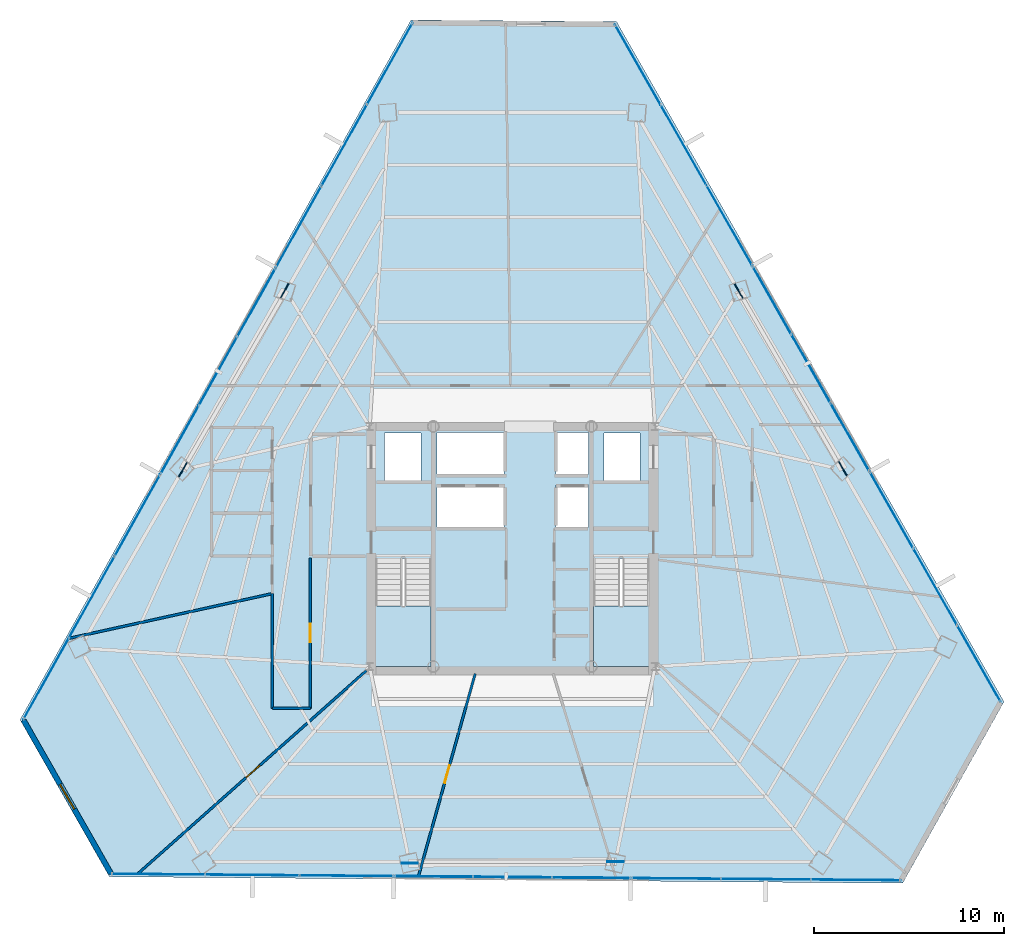
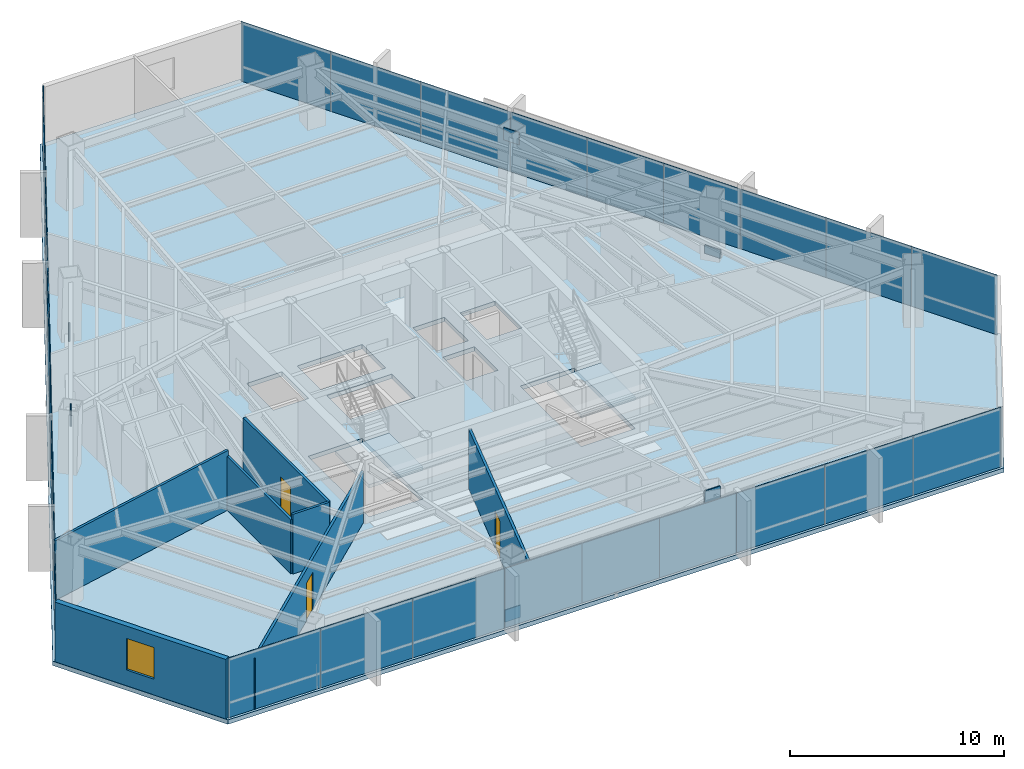
# One storey, part 33 of 39: 33 plates, 7 walls, 3 doors, 3 slabs, 1 window, 4 openings, 11 elements without a shape of their own.
"""IFC4 building model written with IfcOpenShell, lengths in metres."""

import ifcopenshell
import ifcopenshell.guid

model = None  # the IFC model being written
_history = None  # IfcOwnerHistory: only IFC2X3 demands one
_inside = {}  # id of a spatial element -> (the spatial element, [elements in it])
_under = {}  # id of a project, library or spatial element -> (it, [spatial elements below it])
_declared = {}  # id of a project -> (the project, [libraries it declares])
_typed = {}  # id of a type object -> (the type object, [elements of that type])
_made_of = {}  # id of a material, layer set ... -> (it, [elements and type objects made of it])


def new_model(schema):
    """Start an empty IFC model of exactly this schema.

    Asked for "IFC4X3", IfcOpenShell would pick the latest addendum, in which some entities
    have other attributes; the version numbers below select the first issue.
    IFC2X3 requires an IfcOwnerHistory on every rooted entity: one is made here for all.
    """
    global model, _history
    if schema == "IFC4X3":
        model = ifcopenshell.file(schema_version=(4, 3, 0, 0))
    else:
        model = ifcopenshell.file(schema=schema)
    _inside.clear()
    _under.clear()
    _declared.clear()
    _typed.clear()
    _made_of.clear()
    _history = None
    if model.schema == "IFC2X3":
        org = make("IfcOrganization", Name="unknown")
        user = make(
            "IfcPersonAndOrganization",
            ThePerson=make("IfcPerson", FamilyName="unknown"),
            TheOrganization=org,
        )
        app = make(
            "IfcApplication",
            ApplicationDeveloper=org,
            Version="unknown",
            ApplicationFullName="unknown",
            ApplicationIdentifier="unknown",
        )
        _history = make(
            "IfcOwnerHistory",
            OwningUser=user,
            OwningApplication=app,
            ChangeAction="ADDED",
            CreationDate=0,
        )
    return model


def make(cls, **values):
    """One entity of the class cls with the attributes given. An attribute that is None is left unset."""
    return model.create_entity(
        cls, **{name: value for name, value in values.items() if value is not None}
    )


def rooted(cls, **values):
    """An entity with a GlobalId (a new one), such as an element, a storey or a relation."""
    return make(cls, GlobalId=ifcopenshell.guid.new(), OwnerHistory=_history, **values)


def si_unit(unit_type, name, prefix=None):
    """IfcSIUnit, for example si_unit("LENGTHUNIT", "METRE", prefix="MILLI")."""
    return make("IfcSIUnit", UnitType=unit_type, Prefix=prefix, Name=name)


def assignment(units):
    """IfcUnitAssignment: the units of a project."""
    return None if units is None else make("IfcUnitAssignment", Units=units)


def point(xyz):
    """IfcCartesianPoint."""
    return None if xyz is None else make("IfcCartesianPoint", Coordinates=xyz)


def direction(xyz):
    """IfcDirection."""
    return None if xyz is None else make("IfcDirection", DirectionRatios=xyz)


def frame(location, z_axis=None, x_axis=None):
    """IfcAxis2Placement3D, a coordinate frame: its origin and axes. An axis left out is left unset."""
    return make(
        "IfcAxis2Placement3D",
        Location=point(location),
        Axis=direction(z_axis),
        RefDirection=direction(x_axis),
    )


def frame_2d(location, x_axis=None):
    """IfcAxis2Placement2D, a coordinate frame in the plane: its origin and x axis."""
    return make(
        "IfcAxis2Placement2D", Location=point(location), RefDirection=direction(x_axis)
    )


def origin():
    """The frame at (0, 0, 0) with its axes left unset."""
    return frame((0.0, 0.0, 0.0))


def origin_2d():
    """The frame at (0, 0) in the plane with its x axis left unset."""
    return frame_2d((0.0, 0.0))


def place(relative_to, where):
    """IfcLocalPlacement: puts the frame where relative to a parent placement (None: the world)."""
    return make(
        "IfcLocalPlacement", PlacementRelTo=relative_to, RelativePlacement=where
    )


def context(
    kind, dimensions, precision=None, world=None, true_north=None, identifier=None
):
    """IfcGeometricRepresentationContext, for example the 3D "Model" context."""
    return make(
        "IfcGeometricRepresentationContext",
        ContextIdentifier=identifier,
        ContextType=kind,
        CoordinateSpaceDimension=dimensions,
        Precision=precision,
        WorldCoordinateSystem=world,
        TrueNorth=true_north,
    )


def subcontext(parent, identifier, kind, view, scale=None):
    """IfcGeometricRepresentationSubContext, for example "Body" below "Model"."""
    return make(
        "IfcGeometricRepresentationSubContext",
        ContextIdentifier=identifier,
        ContextType=kind,
        ParentContext=parent,
        TargetScale=scale,
        TargetView=view,
    )


def project(units=None, contexts=None):
    """IfcProject with its units and contexts."""
    return rooted(
        "IfcProject",
        Name="project",
        RepresentationContexts=contexts,
        UnitsInContext=assignment(units),
    )


def spatial(cls, under=None, at=None, **own):
    """A site, building, storey or space (cls), placed at a placement, below another one or the project."""
    s = rooted(cls, ObjectPlacement=at, **own)
    if under is not None:
        _under.setdefault(under.id(), (under, []))[1].append(s)
    return s


def polyline(points):
    """IfcPolyline through the points."""
    return make("IfcPolyline", Points=[point(p) for p in points])


def profile(cls, at=None, kind="AREA", **sizes):
    """A parametric profile (cls). Its sizes go by their IFC names, for example OverallWidth=200.0."""
    return make(cls, ProfileType=kind, Position=at, **sizes)


def rectangle(**sizes):
    """IfcRectangleProfileDef."""
    return profile("IfcRectangleProfileDef", **sizes)


def outline(outer, holes=None, kind="AREA"):
    """IfcArbitraryClosedProfileDef: a profile drawn as a closed curve; with holes, ...WithVoids."""
    if holes is None:
        return make("IfcArbitraryClosedProfileDef", ProfileType=kind, OuterCurve=outer)
    return make(
        "IfcArbitraryProfileDefWithVoids",
        ProfileType=kind,
        OuterCurve=outer,
        InnerCurves=holes,
    )


def extrude(swept, where, along, depth):
    """IfcExtrudedAreaSolid: the profile swept, set in the frame where, extruded along a direction by depth."""
    return make(
        "IfcExtrudedAreaSolid",
        SweptArea=swept,
        Position=where,
        ExtrudedDirection=direction(along),
        Depth=depth,
    )


def shape(context_of_items, identifier, shape_type, items):
    """IfcShapeRepresentation: the items that make up one representation, for example the "Body"."""
    return make(
        "IfcShapeRepresentation",
        ContextOfItems=context_of_items,
        RepresentationIdentifier=identifier,
        RepresentationType=shape_type,
        Items=items,
    )


def source(mapping_origin, context_of_items, identifier, shape_type, items):
    """IfcRepresentationMap: a shape defined once, which mapped items show again and again."""
    return make(
        "IfcRepresentationMap",
        MappingOrigin=mapping_origin,
        MappedRepresentation=shape(context_of_items, identifier, shape_type, items),
    )


def transform(
    local_origin,
    x_axis=None,
    y_axis=None,
    z_axis=None,
    scale=None,
    scale2=None,
    scale3=None,
    uniform=True,
):
    """IfcCartesianTransformationOperator3D, or its non-uniform kind. x_axis, y_axis, z_axis: its Axis1, 2, 3."""
    if uniform:
        return make(
            "IfcCartesianTransformationOperator3D",
            Axis1=direction(x_axis),
            Axis2=direction(y_axis),
            LocalOrigin=point(local_origin),
            Scale=scale,
            Axis3=direction(z_axis),
        )
    return make(
        "IfcCartesianTransformationOperator3DnonUniform",
        Axis1=direction(x_axis),
        Axis2=direction(y_axis),
        LocalOrigin=point(local_origin),
        Scale=scale,
        Axis3=direction(z_axis),
        Scale2=scale2,
        Scale3=scale3,
    )


def mapped(mapping_source, mapping_target):
    """IfcMappedItem: shows the shape of a source again, moved by a transform."""
    return make(
        "IfcMappedItem", MappingSource=mapping_source, MappingTarget=mapping_target
    )


def material(Name=None, Category=None):
    """IfcMaterial."""
    return make("IfcMaterial", Name=Name, Category=Category)


def layer(
    of_material, thickness, ventilated=None, Name=None, Category=None, Priority=None
):
    """IfcMaterialLayer: one layer of a wall or slab, of a material (None: an air gap)."""
    return make(
        "IfcMaterialLayer",
        Material=of_material,
        LayerThickness=thickness,
        IsVentilated=ventilated,
        Name=Name,
        Category=Category,
        Priority=Priority,
    )


def layer_set(layers, Name=None):
    """IfcMaterialLayerSet."""
    return make("IfcMaterialLayerSet", MaterialLayers=layers, LayerSetName=Name)


def made_of(thing, what):
    """Note that an element or type object is made of a material, layer set ...; save() writes the relation."""
    if what is not None:
        _made_of.setdefault(what.id(), (what, []))[1].append(thing)
    return thing


def type_object(cls, material=None, **own):
    """A type object (cls), such as IfcWallType, which elements share."""
    return made_of(rooted(cls, **own), material)


def type_shapes(of_type, sources):
    """Give a type object the sources (RepresentationMaps) that its elements show as mapped items."""
    of_type.RepresentationMaps = sources


def element(
    cls,
    number,
    at=None,
    inside=None,
    cuts=None,
    type_object=None,
    material=None,
    context=None,
    identifier="Body",
    shape_type=None,
    held_by="IfcProductDefinitionShape",
    body=None,
    shapes=None,
    **own,
):
    """One element of the class cls, such as IfcWall. Its Tag is "e" and its number.

    at: its placement. inside: the storey or other place that contains it. cuts: it is an
    opening in that element (IfcRelVoidsElement). A single representation is given by context,
    identifier, shape_type and body (its items); several are given by shapes. held_by: the class
    of the entity that holds the representations. save() writes the other relations.
    """
    e = rooted(cls, Tag="e%d" % number, ObjectPlacement=at, **own)
    if body is not None:
        shapes = [shape(context, identifier, shape_type, body)]
    if shapes is not None:
        e.Representation = make(held_by, Representations=shapes)
    if inside is not None:
        _inside.setdefault(inside.id(), (inside, []))[1].append(e)
    if cuts is not None:
        rooted(
            "IfcRelVoidsElement", RelatingBuildingElement=cuts, RelatedOpeningElement=e
        )
    if type_object is not None:
        _typed.setdefault(type_object.id(), (type_object, []))[1].append(e)
    return made_of(e, material)


def fill(opening, filler):
    """IfcRelFillsElement: the door or window that sits in an opening."""
    return rooted(
        "IfcRelFillsElement",
        RelatingOpeningElement=opening,
        RelatedBuildingElement=filler,
    )


def aggregate(whole, parts):
    """IfcRelAggregates: a whole, such as a stair, and the parts it consists of."""
    return rooted("IfcRelAggregates", RelatingObject=whole, RelatedObjects=parts)


def save(model, path):
    """Write the relations noted so far, then the file.

    IfcRelAggregates (storeys below a building ...), IfcRelContainedInSpatialStructure (elements
    in a storey), IfcRelDefinesByType, IfcRelAssociatesMaterial and IfcRelDeclares: one each for
    every whole, place, type object, material and project.
    """
    for whole, parts in _under.values():
        aggregate(whole, parts)
    for where, things in _inside.values():
        rooted(
            "IfcRelContainedInSpatialStructure",
            RelatedElements=things,
            RelatingStructure=where,
        )
    for kind, things in _typed.values():
        rooted("IfcRelDefinesByType", RelatedObjects=things, RelatingType=kind)
    for what, things in _made_of.values():
        rooted("IfcRelAssociatesMaterial", RelatedObjects=things, RelatingMaterial=what)
    for by, libraries in _declared.values():
        rooted("IfcRelDeclares", RelatingContext=by, RelatedDefinitions=libraries)
    model.write(path)


model = new_model("IFC4")

# Units and contexts
model_context = context("Model", 3, precision=1e-05, world=origin(), true_north=direction((0.0, 1.0)))
body_context = subcontext(model_context, "Body", "Model", "MODEL_VIEW")
ifc_project = project(units=[si_unit("LENGTHUNIT", "METRE"), si_unit("AREAUNIT", "SQUARE_METRE"), si_unit("VOLUMEUNIT", "CUBIC_METRE"), si_unit("PLANEANGLEUNIT", "RADIAN"), si_unit("MASSUNIT", "GRAM", prefix="KILO")], contexts=[model_context])

# Site, building, storey
site_placement = place(None, origin())
site = spatial("IfcSite", under=ifc_project, at=site_placement, CompositionType="ELEMENT")
building_placement = place(site_placement, origin())
building = spatial("IfcBuilding", under=site, at=building_placement, Name="Caelisora Broadcast Tower", CompositionType="ELEMENT")
storey_placement = place(building_placement, frame((0.0, 0.0, 142.75)))
storey = spatial("IfcBuildingStorey", under=building, at=storey_placement, Name="L37", CompositionType="ELEMENT", Elevation=142.75)

# Slab
ifc_material_1 = material(Name="Concrete 40 MPa (AS 3600 N40)", Category="concrete")
ifc_layer_1 = layer(ifc_material_1, 0.25, Name="Concrete 40 MPa (AS 3600 N40)")
ifc_layer_set_1 = layer_set([ifc_layer_1], Name="Concrete 40 MPa (AS 3600 N40)")
slab_type_1 = type_object("IfcSlabType", Name="SL04", PredefinedType="FLOOR", material=ifc_layer_set_1)
slab_1_placement = place(storey_placement, frame((0.0, 0.0, -0.25)))
element("IfcSlab", 1, at=slab_1_placement, inside=storey, type_object=slab_type_1, Name="L37 suspended floor SL04", PredefinedType="FLOOR", context=body_context, shape_type="SweptSolid", body=[
    extrude(outline(polyline([(43.47509765625, 51.256103515625), (32.677978515625, 51.343994140625), (12.152099609375, 14.60693359375), (16.844970703125, 6.366943359375), (58.489990234375, 6.02490234375), (63.81103515625, 15.550048828125), (43.47509765625, 51.256103515625)]), holes=[polyline([(30.820068359375, 17.39990234375), (33.739990234375, 17.39990234375), (33.739990234375, 23.080078125), (30.820068359375, 23.080078125), (30.820068359375, 17.39990234375)]), polyline([(42.260009765625, 17.39990234375), (45.179931640625, 17.39990234375), (45.179931640625, 23.080078125), (42.260009765625, 23.080078125), (42.260009765625, 17.39990234375)]), polyline([(42.800048828125, 27.14990234375), (44.699951171875, 27.14990234375), (44.699951171875, 29.64990234375), (42.800048828125, 29.64990234375), (42.800048828125, 27.14990234375)]), polyline([(40.300048828125, 24.719970703125), (42.0, 24.719970703125), (42.0, 26.919921875), (40.300048828125, 26.919921875), (40.300048828125, 24.719970703125)]), polyline([(40.300048828125, 27.5), (42.0, 27.5), (42.0, 29.699951171875), (40.300048828125, 29.699951171875), (40.300048828125, 27.5)]), polyline([(34.050048828125, 24.719970703125), (37.550048828125, 24.719970703125), (37.550048828125, 26.919921875), (34.050048828125, 26.919921875), (34.050048828125, 24.719970703125)]), polyline([(34.050048828125, 27.5), (37.550048828125, 27.5), (37.550048828125, 29.699951171875), (34.050048828125, 29.699951171875), (34.050048828125, 27.5)]), polyline([(31.300048828125, 27.14990234375), (33.199951171875, 27.14990234375), (33.199951171875, 29.64990234375), (31.300048828125, 29.64990234375), (31.300048828125, 27.14990234375)])]), origin(), (0.0, 0.0, 1.0), 0.25),
])

# Stair, slab
stair_type_1 = type_object("IfcStairType", Name="ST-1", PredefinedType="HALF_TURN_STAIR", material=ifc_material_1)
stair_1_placement = place(storey_placement, origin())
stair_1 = element("IfcStair", 2, at=stair_1_placement, inside=storey, type_object=stair_type_1, Name="L37 West Fire-Isolated Tower Stair", PredefinedType="HALF_TURN_STAIR")
ifc_layer_2 = layer(ifc_material_1, 0.199951171875, Name="Concrete 40 MPa (AS 3600 N40)")
ifc_layer_set_2 = layer_set([ifc_layer_2], Name="Concrete 40 MPa (AS 3600 N40)")
slab_type_2 = type_object("IfcSlabType", Name="STL-1", PredefinedType="LANDING", material=ifc_layer_set_2)
slab_2_placement = place(storey_placement, frame((0.0, 0.0, 1.625)))
slab_2 = element("IfcSlab", 3, at=slab_2_placement, type_object=slab_type_2, Name="ST-1 landing 1", PredefinedType="LANDING", context=body_context, shape_type="SweptSolid", body=[
    extrude(outline(polyline([(30.820068359375, 20.580078125), (30.820068359375, 17.39990234375), (33.739990234375, 17.39990234375), (33.739990234375, 20.580078125), (30.820068359375, 20.580078125)])), origin(), (0.0, 0.0, 1.0), 0.199951171875),
])
aggregate(stair_1, [slab_2])

stair_type_2 = type_object("IfcStairType", Name="ST-2", PredefinedType="HALF_TURN_STAIR", material=ifc_material_1)
stair_2_placement = place(storey_placement, origin())
stair_2 = element("IfcStair", 4, at=stair_2_placement, inside=storey, type_object=stair_type_2, Name="L37 East Fire-Isolated Tower Stair", PredefinedType="HALF_TURN_STAIR")
slab_3_placement = place(storey_placement, frame((0.0, 0.0, 1.625)))
slab_3 = element("IfcSlab", 5, at=slab_3_placement, type_object=slab_type_2, Name="ST-2 landing 1", PredefinedType="LANDING", context=body_context, shape_type="SweptSolid", body=[
    extrude(outline(polyline([(42.260009765625, 20.580078125), (42.260009765625, 17.39990234375), (45.179931640625, 17.39990234375), (45.179931640625, 20.580078125), (42.260009765625, 20.580078125)])), origin(), (0.0, 0.0, 1.0), 0.199951171875),
])
aggregate(stair_2, [slab_3])

# Plates
ifc_material_2 = material(Name="Steel Grade 350 L15 (AS/NZS 3678)", Category="steel")
ifc_layer_3 = layer(ifc_material_2, 0.050048828125, Name="Steel Grade 350 L15 (AS/NZS 3678)")
ifc_layer_set_3 = layer_set([ifc_layer_3], Name="Steel Grade 350 L15 (AS/NZS 3678)")
plate_type_1 = type_object("IfcPlateType", Name="GP03", PredefinedType="USERDEFINED", material=ifc_layer_set_3)
shared_shape_1 = source(origin(), body_context, "Body", "SweptSolid", [
    extrude(rectangle(XDim=0.85009765625, YDim=0.050048828125, at=origin_2d()), origin(), (0.0, 0.0, 1.0), 0.699951171875),
])
type_shapes(plate_type_1, [shared_shape_1])
for number, where, z_axis, x_axis, name in (
    (6, (26.044921875, 37.13134765625, -0.22998046875), (0.0, 0.0, 1.0), (-0.5, -0.866025403784, 0.0), "L37 gusset plate GP03 (ND-L37-C02B)"),
    (7, (20.704833984375, 27.737548828125, 2.72998046875), (0.0, 0.0, 1.0), (-0.5, -0.866025403784, 0.0), "L37 gusset plate GP03 (ND-L37-C03T)"),
    (8, (32.605712890625, 7.080810546875, -0.22998046875), (0.0, 0.0, 1.0), (1.0, 0.0, 0.0), "L37 gusset plate GP03 (ND-L37-C06B)"),
    (9, (43.410888671875, 7.153076171875, 2.72998046875), (0.0, 0.0, 1.0), (1.0, 0.0, 0.0), "L37 gusset plate GP03 (ND-L37-C07T)"),
    (10, (55.349609375, 27.787841796875, -0.22998046875), (0.0, 0.0, 1.0), (-0.5, 0.866025403784, 0.0), "L37 gusset plate GP03 (ND-L37-C10B)"),
    (11, (49.884521484375, 37.109375, 2.72998046875), (0.0, 0.0, 1.0), (-0.5, 0.866025403784, 0.0), "L37 gusset plate GP03 (ND-L37-C11T)"),
):
    element("IfcPlate", number, at=place(storey_placement, frame(where, z_axis=z_axis, x_axis=x_axis)), inside=storey, type_object=plate_type_1, Name=name, ObjectType="GUSSET PLATE", PredefinedType="USERDEFINED", context=body_context, shape_type="MappedRepresentation", body=[
        mapped(shared_shape_1, transform((0.0, 0.0, 0.0), scale=1.0)),
    ])

# Curtain wall, plates
ifc_material_3 = material(Name="Unitised Aluminium and Low-E Glass Curtain Wall", Category="glass")
curtain_wall_type_1 = type_object("IfcCurtainWallType", Name="CW-Z3", PredefinedType="NOTDEFINED", material=ifc_material_3)
curtain_wall_1_placement = place(storey_placement, origin())
curtain_wall_1 = element("IfcCurtainWall", 12, at=curtain_wall_1_placement, inside=storey, type_object=curtain_wall_type_1, Name="L37 curtain wall CW-Z3", PredefinedType="NOTDEFINED")
ifc_material_4 = material(Name="Double Glazed Low-E Argon IGU", Category="glass")
ifc_layer_4 = layer(ifc_material_4, 0.031982421875, Name="Double Glazed Low-E Argon IGU")
ifc_layer_set_4 = layer_set([ifc_layer_4], Name="Double Glazed Low-E Argon IGU")
plate_type_2 = type_object("IfcPlateType", Name="CWP-04", PredefinedType="CURTAIN_PANEL", material=ifc_layer_set_4)
shared_shape_2 = source(origin(), body_context, "Body", "SweptSolid", [
    extrude(rectangle(XDim=4.85498046875, YDim=0.031982421875, at=origin_2d()), origin(), (0.0, 0.0, 1.0), 3.39990234375),
])
plate_1_placement = place(storey_placement, frame((44.58837890625, 48.997802734375, 0.0), z_axis=(0.0, 0.0, 1.0), x_axis=(0.494852128545, -0.868977198133, 0.0)))
plate_1 = element("IfcPlate", 13, at=plate_1_placement, type_object=plate_type_2, Name="L37-CW-B01 glazed panel #1", PredefinedType="CURTAIN_PANEL", context=body_context, shape_type="MappedRepresentation", body=[
    mapped(shared_shape_2, transform((0.0, 0.0, 0.0), scale=1.0)),
])
plate_2_placement = place(storey_placement, frame((46.9912109375, 44.779052734375, 0.0), z_axis=(0.0, 0.0, 1.0), x_axis=(0.494852128545, -0.868977198133, 0.0)))
plate_2 = element("IfcPlate", 14, at=plate_2_placement, type_object=plate_type_2, Name="L37-CW-B01 glazed panel #2", PredefinedType="CURTAIN_PANEL", context=body_context, shape_type="MappedRepresentation", body=[
    mapped(shared_shape_2, transform((0.0, 0.0, 0.0), scale=1.0)),
])
plate_3_placement = place(storey_placement, frame((49.393798828125, 40.560302734375, 0.0), z_axis=(0.0, 0.0, 1.0), x_axis=(0.494852128545, -0.868977198133, 0.0)))
plate_3 = element("IfcPlate", 15, at=plate_3_placement, type_object=plate_type_2, Name="L37-CW-B01 glazed panel #3", PredefinedType="CURTAIN_PANEL", context=body_context, shape_type="MappedRepresentation", body=[
    mapped(shared_shape_2, transform((0.0, 0.0, 0.0), scale=1.0)),
])
aggregate(curtain_wall_1, [plate_1, plate_2, plate_3])

ifc_material_5 = material(Name="Unitised Aluminium Insulated Shadow-Box Spandrel Curtain Wall", Category="aluminium")
curtain_wall_type_2 = type_object("IfcCurtainWallType", Name="CW-SP2", PredefinedType="NOTDEFINED", material=ifc_material_5)
curtain_wall_2_placement = place(storey_placement, origin())
curtain_wall_2 = element("IfcCurtainWall", 16, at=curtain_wall_2_placement, inside=storey, type_object=curtain_wall_type_2, Name="L37 curtain wall CW-SP2", PredefinedType="NOTDEFINED")
ifc_material_6 = material(Name="Insulated Terracotta Shadow-Box Spandrel Panel", Category="aluminium")
ifc_layer_5 = layer(ifc_material_6, 0.0439453125, Name="Insulated Terracotta Shadow-Box Spandrel Panel")
ifc_layer_set_5 = layer_set([ifc_layer_5], Name="Insulated Terracotta Shadow-Box Spandrel Panel")
plate_type_3 = type_object("IfcPlateType", Name="CWP-10", PredefinedType="CURTAIN_PANEL", material=ifc_layer_set_5)
shared_shape_3 = source(origin(), body_context, "Body", "SweptSolid", [
    extrude(rectangle(XDim=4.142822265625, YDim=0.0439453125, at=origin_2d()), origin(), (0.0, 0.0, 1.0), 3.39990234375),
])
plate_4_placement = place(storey_placement, frame((51.625244140625, 36.642333984375, 0.0), z_axis=(0.0, 0.0, 1.0), x_axis=(0.494852128545, -0.868977198133, 0.0)))
plate_4 = element("IfcPlate", 17, at=plate_4_placement, type_object=plate_type_3, Name="L37-CW-B02 spandrel panel #1", PredefinedType="CURTAIN_PANEL", context=body_context, shape_type="MappedRepresentation", body=[
    mapped(shared_shape_3, transform((0.0, 0.0, 0.0), scale=1.0)),
])
plate_5_placement = place(storey_placement, frame((53.67578125, 33.04248046875, 0.0), z_axis=(0.0, 0.0, 1.0), x_axis=(0.494852128545, -0.868977198133, 0.0)))
plate_5 = element("IfcPlate", 18, at=plate_5_placement, type_object=plate_type_3, Name="L37-CW-B02 spandrel panel #2", PredefinedType="CURTAIN_PANEL", context=body_context, shape_type="MappedRepresentation", body=[
    mapped(shared_shape_3, transform((0.0, 0.0, 0.0), scale=1.0)),
])
plate_6_placement = place(storey_placement, frame((55.72607421875, 29.4423828125, 0.0), z_axis=(0.0, 0.0, 1.0), x_axis=(0.494852128545, -0.868977198133, 0.0)))
plate_6 = element("IfcPlate", 19, at=plate_6_placement, type_object=plate_type_3, Name="L37-CW-B02 spandrel panel #3", PredefinedType="CURTAIN_PANEL", context=body_context, shape_type="MappedRepresentation", body=[
    mapped(shared_shape_3, transform((0.0, 0.0, 0.0), scale=1.0)),
])
aggregate(curtain_wall_2, [plate_4, plate_5, plate_6])

curtain_wall_3_placement = place(storey_placement, origin())
curtain_wall_3 = element("IfcCurtainWall", 20, at=curtain_wall_3_placement, inside=storey, type_object=curtain_wall_type_2, Name="L37 curtain wall CW-SP2", PredefinedType="NOTDEFINED")
plate_7_placement = place(storey_placement, frame((42.13671875, 6.309326171875, 0.0), z_axis=(0.0, 0.0, 1.0), x_axis=(-0.999966355195, 0.008202955488, 0.0)))
plate_7 = element("IfcPlate", 21, at=plate_7_placement, type_object=plate_type_3, Name="L37-CW-B06 spandrel panel #1", PredefinedType="CURTAIN_PANEL", context=body_context, shape_type="MappedRepresentation", body=[
    mapped(shared_shape_3, transform((0.0, 0.0, 0.0), scale=1.0)),
])
plate_8_placement = place(storey_placement, frame((37.993896484375, 6.34326171875, 0.0), z_axis=(0.0, 0.0, 1.0), x_axis=(-0.999966355195, 0.008202955488, 0.0)))
plate_8 = element("IfcPlate", 22, at=plate_8_placement, type_object=plate_type_3, Name="L37-CW-B06 spandrel panel #2", PredefinedType="CURTAIN_PANEL", context=body_context, shape_type="MappedRepresentation", body=[
    mapped(shared_shape_3, transform((0.0, 0.0, 0.0), scale=1.0)),
])
plate_9_placement = place(storey_placement, frame((33.851318359375, 6.377197265625, 0.0), z_axis=(0.0, 0.0, 1.0), x_axis=(-0.999966355195, 0.008202955488, 0.0)))
plate_9 = element("IfcPlate", 23, at=plate_9_placement, type_object=plate_type_3, Name="L37-CW-B06 spandrel panel #3", PredefinedType="CURTAIN_PANEL", context=body_context, shape_type="MappedRepresentation", body=[
    mapped(shared_shape_3, transform((0.0, 0.0, 0.0), scale=1.0)),
])
aggregate(curtain_wall_3, [plate_7, plate_8, plate_9])

curtain_wall_4_placement = place(storey_placement, origin())
curtain_wall_4 = element("IfcCurtainWall", 24, at=curtain_wall_4_placement, inside=storey, type_object=curtain_wall_type_1, Name="L37 curtain wall CW-Z3", PredefinedType="NOTDEFINED")
shared_shape_4 = source(origin(), body_context, "Body", "SweptSolid", [
    extrude(rectangle(XDim=4.6357421875, YDim=0.031982421875, at=origin_2d()), origin(), (0.0, 0.0, 1.0), 3.39990234375),
])
plate_10_placement = place(storey_placement, frame((57.9033203125, 25.61962890625, 0.0), z_axis=(0.0, 0.0, 1.0), x_axis=(0.494852128545, -0.868977198133, 0.0)))
plate_10 = element("IfcPlate", 25, at=plate_10_placement, type_object=plate_type_2, Name="L37-CW-B03 glazed panel #1", PredefinedType="CURTAIN_PANEL", context=body_context, shape_type="MappedRepresentation", body=[
    mapped(shared_shape_4, transform((0.0, 0.0, 0.0), scale=1.0)),
])
plate_11_placement = place(storey_placement, frame((60.197509765625, 21.59130859375, 0.0), z_axis=(0.0, 0.0, 1.0), x_axis=(0.494852128545, -0.868977198133, 0.0)))
plate_11 = element("IfcPlate", 26, at=plate_11_placement, type_object=plate_type_2, Name="L37-CW-B03 glazed panel #2", PredefinedType="CURTAIN_PANEL", context=body_context, shape_type="MappedRepresentation", body=[
    mapped(shared_shape_4, transform((0.0, 0.0, 0.0), scale=1.0)),
])
plate_12_placement = place(storey_placement, frame((62.491943359375, 17.56298828125, 0.0), z_axis=(0.0, 0.0, 1.0), x_axis=(0.494852128545, -0.868977198133, 0.0)))
plate_12 = element("IfcPlate", 27, at=plate_12_placement, type_object=plate_type_2, Name="L37-CW-B03 glazed panel #3", PredefinedType="CURTAIN_PANEL", context=body_context, shape_type="MappedRepresentation", body=[
    mapped(shared_shape_4, transform((0.0, 0.0, 0.0), scale=1.0)),
])
aggregate(curtain_wall_4, [plate_10, plate_11, plate_12])

curtain_wall_5_placement = place(storey_placement, origin())
curtain_wall_5 = element("IfcCurtainWall", 28, at=curtain_wall_5_placement, inside=storey, type_object=curtain_wall_type_1, Name="L37 curtain wall CW-Z3", PredefinedType="NOTDEFINED")
shared_shape_5 = source(origin(), body_context, "Body", "SweptSolid", [
    extrude(rectangle(XDim=4.728271484375, YDim=0.031982421875, at=origin_2d()), origin(), (0.0, 0.0, 1.0), 3.39990234375),
])
plate_13_placement = place(storey_placement, frame((56.0380859375, 6.1953125, 0.0), z_axis=(0.0, 0.0, 1.0), x_axis=(-0.999966355195, 0.008202955488, 0.0)))
plate_13 = element("IfcPlate", 29, at=plate_13_placement, type_object=plate_type_2, Name="L37-CW-B05 glazed panel #1", PredefinedType="CURTAIN_PANEL", context=body_context, shape_type="MappedRepresentation", body=[
    mapped(shared_shape_5, transform((0.0, 0.0, 0.0), scale=1.0)),
])
plate_14_placement = place(storey_placement, frame((51.31005859375, 6.234130859375, 0.0), z_axis=(0.0, 0.0, 1.0), x_axis=(-0.999966355195, 0.008202955488, 0.0)))
plate_14 = element("IfcPlate", 30, at=plate_14_placement, type_object=plate_type_2, Name="L37-CW-B05 glazed panel #2", PredefinedType="CURTAIN_PANEL", context=body_context, shape_type="MappedRepresentation", body=[
    mapped(shared_shape_5, transform((0.0, 0.0, 0.0), scale=1.0)),
])
plate_15_placement = place(storey_placement, frame((46.58203125, 6.27294921875, 0.0), z_axis=(0.0, 0.0, 1.0), x_axis=(-0.999966355195, 0.008202955488, 0.0)))
plate_15 = element("IfcPlate", 31, at=plate_15_placement, type_object=plate_type_2, Name="L37-CW-B05 glazed panel #3", PredefinedType="CURTAIN_PANEL", context=body_context, shape_type="MappedRepresentation", body=[
    mapped(shared_shape_5, transform((0.0, 0.0, 0.0), scale=1.0)),
])
aggregate(curtain_wall_5, [plate_13, plate_14, plate_15])

curtain_wall_6_placement = place(storey_placement, origin())
curtain_wall_6 = element("IfcCurtainWall", 32, at=curtain_wall_6_placement, inside=storey, type_object=curtain_wall_type_1, Name="L37 curtain wall CW-Z3", PredefinedType="NOTDEFINED")
shared_shape_6 = source(origin(), body_context, "Body", "SweptSolid", [
    extrude(rectangle(XDim=4.94580078125, YDim=0.031982421875, at=origin_2d()), origin(), (0.0, 0.0, 1.0), 3.39990234375),
])
plate_16_placement = place(storey_placement, frame((29.297119140625, 6.41455078125, 0.0), z_axis=(0.0, 0.0, 1.0), x_axis=(-0.999966355195, 0.008202955488, 0.0)))
plate_16 = element("IfcPlate", 33, at=plate_16_placement, type_object=plate_type_2, Name="L37-CW-B07 glazed panel #1", PredefinedType="CURTAIN_PANEL", context=body_context, shape_type="MappedRepresentation", body=[
    mapped(shared_shape_6, transform((0.0, 0.0, 0.0), scale=1.0)),
])
plate_17_placement = place(storey_placement, frame((24.3515625, 6.455078125, 0.0), z_axis=(0.0, 0.0, 1.0), x_axis=(-0.999966355195, 0.008202955488, 0.0)))
plate_17 = element("IfcPlate", 34, at=plate_17_placement, type_object=plate_type_2, Name="L37-CW-B07 glazed panel #2", PredefinedType="CURTAIN_PANEL", context=body_context, shape_type="MappedRepresentation", body=[
    mapped(shared_shape_6, transform((0.0, 0.0, 0.0), scale=1.0)),
])
plate_18_placement = place(storey_placement, frame((19.40576171875, 6.49560546875, 0.0), z_axis=(0.0, 0.0, 1.0), x_axis=(-0.999966355195, 0.008202955488, 0.0)))
plate_18 = element("IfcPlate", 35, at=plate_18_placement, type_object=plate_type_2, Name="L37-CW-B07 glazed panel #3", PredefinedType="CURTAIN_PANEL", context=body_context, shape_type="MappedRepresentation", body=[
    mapped(shared_shape_6, transform((0.0, 0.0, 0.0), scale=1.0)),
])
aggregate(curtain_wall_6, [plate_16, plate_17, plate_18])

curtain_wall_7_placement = place(storey_placement, origin())
curtain_wall_7 = element("IfcCurtainWall", 36, at=curtain_wall_7_placement, inside=storey, type_object=curtain_wall_type_1, Name="L37 curtain wall CW-Z3", PredefinedType="NOTDEFINED")
shared_shape_7 = source(origin(), body_context, "Body", "SweptSolid", [
    extrude(rectangle(XDim=4.912353515625, YDim=0.031982421875, at=origin_2d()), origin(), (0.0, 0.0, 1.0), 3.39990234375),
])
plate_19_placement = place(storey_placement, frame((13.522216796875, 16.752197265625, 0.0), z_axis=(0.0, 0.0, 1.0), x_axis=(0.487707298065, 0.873007211547, 0.0)))
plate_19 = element("IfcPlate", 37, at=plate_19_placement, type_object=plate_type_2, Name="L37-CW-B09 glazed panel #1", PredefinedType="CURTAIN_PANEL", context=body_context, shape_type="MappedRepresentation", body=[
    mapped(shared_shape_7, transform((0.0, 0.0, 0.0), scale=1.0)),
])
plate_20_placement = place(storey_placement, frame((15.918212890625, 21.04052734375, 0.0), z_axis=(0.0, 0.0, 1.0), x_axis=(0.487707298065, 0.873007211547, 0.0)))
plate_20 = element("IfcPlate", 38, at=plate_20_placement, type_object=plate_type_2, Name="L37-CW-B09 glazed panel #2", PredefinedType="CURTAIN_PANEL", context=body_context, shape_type="MappedRepresentation", body=[
    mapped(shared_shape_7, transform((0.0, 0.0, 0.0), scale=1.0)),
])
plate_21_placement = place(storey_placement, frame((18.314208984375, 25.328857421875, 0.0), z_axis=(0.0, 0.0, 1.0), x_axis=(0.487707298065, 0.873007211547, 0.0)))
plate_21 = element("IfcPlate", 39, at=plate_21_placement, type_object=plate_type_2, Name="L37-CW-B09 glazed panel #3", PredefinedType="CURTAIN_PANEL", context=body_context, shape_type="MappedRepresentation", body=[
    mapped(shared_shape_7, transform((0.0, 0.0, 0.0), scale=1.0)),
])
aggregate(curtain_wall_7, [plate_19, plate_20, plate_21])

curtain_wall_8_placement = place(storey_placement, origin())
curtain_wall_8 = element("IfcCurtainWall", 40, at=curtain_wall_8_placement, inside=storey, type_object=curtain_wall_type_2, Name="L37 curtain wall CW-SP2", PredefinedType="NOTDEFINED")
shared_shape_8 = source(origin(), body_context, "Body", "SweptSolid", [
    extrude(rectangle(XDim=4.142578125, YDim=0.0439453125, at=origin_2d()), origin(), (0.0, 0.0, 1.0), 3.39990234375),
])
type_shapes(plate_type_3, [shared_shape_3, shared_shape_8])
plate_22_placement = place(storey_placement, frame((20.527587890625, 29.289794921875, 0.0), z_axis=(0.0, 0.0, 1.0), x_axis=(0.487707298065, 0.873007211547, 0.0)))
plate_22 = element("IfcPlate", 41, at=plate_22_placement, type_object=plate_type_3, Name="L37-CW-B10 spandrel panel #1", PredefinedType="CURTAIN_PANEL", context=body_context, shape_type="MappedRepresentation", body=[
    mapped(shared_shape_8, transform((0.0, 0.0, 0.0), scale=1.0)),
])
plate_23_placement = place(storey_placement, frame((22.548095703125, 32.90625, 0.0), z_axis=(0.0, 0.0, 1.0), x_axis=(0.487707298065, 0.873007211547, 0.0)))
plate_23 = element("IfcPlate", 42, at=plate_23_placement, type_object=plate_type_3, Name="L37-CW-B10 spandrel panel #2", PredefinedType="CURTAIN_PANEL", context=body_context, shape_type="MappedRepresentation", body=[
    mapped(shared_shape_8, transform((0.0, 0.0, 0.0), scale=1.0)),
])
plate_24_placement = place(storey_placement, frame((24.56884765625, 36.522705078125, 0.0), z_axis=(0.0, 0.0, 1.0), x_axis=(0.487707298065, 0.873007211547, 0.0)))
plate_24 = element("IfcPlate", 43, at=plate_24_placement, type_object=plate_type_3, Name="L37-CW-B10 spandrel panel #3", PredefinedType="CURTAIN_PANEL", context=body_context, shape_type="MappedRepresentation", body=[
    mapped(shared_shape_8, transform((0.0, 0.0, 0.0), scale=1.0)),
])
aggregate(curtain_wall_8, [plate_22, plate_23, plate_24])

curtain_wall_9_placement = place(storey_placement, origin())
curtain_wall_9 = element("IfcCurtainWall", 44, at=curtain_wall_9_placement, inside=storey, type_object=curtain_wall_type_1, Name="L37 curtain wall CW-Z3", PredefinedType="NOTDEFINED")
shared_shape_9 = source(origin(), body_context, "Body", "SweptSolid", [
    extrude(rectangle(XDim=4.907958984375, YDim=0.031982421875, at=origin_2d()), origin(), (0.0, 0.0, 1.0), 3.39990234375),
])
type_shapes(plate_type_2, [shared_shape_2, shared_shape_4, shared_shape_5, shared_shape_6, shared_shape_7, shared_shape_9])
plate_25_placement = place(storey_placement, frame((26.781005859375, 40.481689453125, 0.0), z_axis=(0.0, 0.0, 1.0), x_axis=(0.487707298065, 0.873007211547, 0.0)))
plate_25 = element("IfcPlate", 45, at=plate_25_placement, type_object=plate_type_2, Name="L37-CW-B11 glazed panel #1", PredefinedType="CURTAIN_PANEL", context=body_context, shape_type="MappedRepresentation", body=[
    mapped(shared_shape_9, transform((0.0, 0.0, 0.0), scale=1.0)),
])
plate_26_placement = place(storey_placement, frame((29.175048828125, 44.766357421875, 0.0), z_axis=(0.0, 0.0, 1.0), x_axis=(0.487707298065, 0.873007211547, 0.0)))
plate_26 = element("IfcPlate", 46, at=plate_26_placement, type_object=plate_type_2, Name="L37-CW-B11 glazed panel #2", PredefinedType="CURTAIN_PANEL", context=body_context, shape_type="MappedRepresentation", body=[
    mapped(shared_shape_9, transform((0.0, 0.0, 0.0), scale=1.0)),
])
plate_27_placement = place(storey_placement, frame((31.569091796875, 49.05078125, 0.0), z_axis=(0.0, 0.0, 1.0), x_axis=(0.487707298065, 0.873007211547, 0.0)))
plate_27 = element("IfcPlate", 47, at=plate_27_placement, type_object=plate_type_2, Name="L37-CW-B11 glazed panel #3", PredefinedType="CURTAIN_PANEL", context=body_context, shape_type="MappedRepresentation", body=[
    mapped(shared_shape_9, transform((0.0, 0.0, 0.0), scale=1.0)),
])
aggregate(curtain_wall_9, [plate_25, plate_26, plate_27])

# Wall, opening, window
ifc_material_7 = material(Name="Insulated Terracotta Spandrel Wall System", Category="masonry")
ifc_layer_6 = layer(ifc_material_7, 0.280029296875, Name="Insulated Terracotta Spandrel Wall System")
ifc_layer_set_6 = layer_set([ifc_layer_6], Name="Insulated Terracotta Spandrel Wall System")
wall_type_1 = type_object("IfcWallType", Name="EW1", PredefinedType="STANDARD", material=ifc_layer_set_6)
wall_1_placement = place(storey_placement, frame((16.918212890625, 6.5419921875, 0.0), z_axis=(0.0, 0.0, 1.0), x_axis=(-0.494930770571, 0.868932409536, 0.0)))
wall_1 = element("IfcWall", 48, at=wall_1_placement, inside=storey, type_object=wall_type_1, Name="L37 exterior envelope wall EW1", PredefinedType="STANDARD", context=body_context, shape_type="SweptSolid", body=[
    extrude(rectangle(XDim=9.25244140625, YDim=0.280029296875, at=frame_2d((4.626220703125, 0.0))), origin(), (0.0, 0.0, 1.0), 3.39990234375),
])
opening_1_placement = place(wall_1_placement, frame((3.8798828125, 0.0, 0.89990234375)))
opening_1 = element("IfcOpeningElement", 49, at=opening_1_placement, cuts=wall_1, Name="Opening W02", PredefinedType="OPENING", context=body_context, shape_type="SweptSolid", body=[
    extrude(rectangle(XDim=1.5, YDim=1.800048828125, at=frame_2d((0.75, 0.89990234375))), frame((0.0, 0.152099609375, 0.0), z_axis=(0.0, -1.0, 0.0), x_axis=(1.0, 0.0, 0.0)), (0.0, 0.0, 1.0), 0.303955078125),
])
ifc_material_8 = material(Name="Double Glazed Terracotta-Framed Vision Window", Category="glass")
window_type = type_object("IfcWindowType", Name="W02", PartitioningType="SINGLE_PANEL", PredefinedType="WINDOW", material=ifc_material_8)
window_placement = place(opening_1_placement, origin())
window = element("IfcWindow", 50, at=window_placement, inside=storey, type_object=window_type, Name="L37 window W02 (L37-WN-CH4)", OverallHeight=1.800048828125, OverallWidth=1.5, PartitioningType="SINGLE_PANEL", PredefinedType="WINDOW", context=body_context, shape_type="SweptSolid", body=[
    extrude(rectangle(XDim=1.5, YDim=1.800048828125, at=frame_2d((0.75, 0.89990234375))), frame((0.0, 0.030029296875, 0.0), z_axis=(0.0, -1.0, 0.0), x_axis=(1.0, 0.0, 0.0)), (0.0, 0.0, 1.0), 0.06005859375),
])
fill(opening_1, window)

# Wall, opening, door
ifc_material_9 = material(Name="Acoustic Steel-Stud Plasterboard Partition", Category="gypsum")
ifc_layer_7 = layer(ifc_material_9, 0.1298828125, Name="Acoustic Steel-Stud Plasterboard Partition")
ifc_layer_set_7 = layer_set([ifc_layer_7], Name="Acoustic Steel-Stud Plasterboard Partition")
wall_type_2 = type_object("IfcWallType", Name="PW3", PredefinedType="PARTITIONING", material=ifc_layer_set_7)
wall_2_placement = place(storey_placement, frame((18.311279296875, 6.5, 0.0), z_axis=(0.0, 0.0, 1.0), x_axis=(0.747588382927, 0.664162336867, 0.0)))
wall_2 = element("IfcWall", 51, at=wall_2_placement, inside=storey, type_object=wall_type_2, Name="L37 internal partition PW3", PredefinedType="PARTITIONING", context=body_context, shape_type="SweptSolid", body=[
    extrude(rectangle(XDim=16.095458984375, YDim=0.1298828125, at=frame_2d((8.0478515625, 0.0))), origin(), (0.0, 0.0, 1.0), 2.924560546875),
])
opening_2_placement = place(wall_2_placement, frame((7.635009765625, 0.0, 0.0)))
opening_2 = element("IfcOpeningElement", 52, at=opening_2_placement, cuts=wall_2, Name="Opening D01", PredefinedType="OPENING", context=body_context, shape_type="SweptSolid", body=[
    extrude(rectangle(XDim=0.9599609375, YDim=2.14990234375, at=frame_2d((0.47998046875, 1.074951171875))), frame((0.0, 0.076904296875, 0.0), z_axis=(0.0, -1.0, 0.0), x_axis=(1.0, 0.0, 0.0)), (0.0, 0.0, 1.0), 0.15380859375),
])
ifc_material_10 = material(Name="Solid-Core Timber Acoustic Office Door", Category="wood")
door_type = type_object("IfcDoorType", Name="D01", OperationType="NOTDEFINED", PredefinedType="DOOR", material=ifc_material_10)
door_1_placement = place(opening_2_placement, origin())
door_1 = element("IfcDoor", 53, at=door_1_placement, inside=storey, type_object=door_type, Name="L37 door D01 (L37-DR-P29D1)", OperationType="SINGLE_SWING_LEFT", OverallHeight=2.14990234375, OverallWidth=0.9599609375, PredefinedType="DOOR", context=body_context, shape_type="SweptSolid", body=[
    extrude(rectangle(XDim=0.9599609375, YDim=2.14990234375, at=frame_2d((0.47998046875, 1.074951171875))), frame((0.0, 0.02490234375, 0.0), z_axis=(0.0, -1.0, 0.0), x_axis=(1.0, 0.0, 0.0)), (0.0, 0.0, 1.0), 0.050048828125),
])
fill(opening_2, door_1)

wall_3_placement = place(storey_placement, frame((33.067626953125, 6.37890625, 0.0), z_axis=(0.0, 0.0, 1.0), x_axis=(0.269684788435, 0.962948656413, 0.0)))
wall_3 = element("IfcWall", 54, at=wall_3_placement, inside=storey, type_object=wall_type_2, Name="L37 internal partition PW3", PredefinedType="PARTITIONING", context=body_context, shape_type="SweptSolid", body=[
    extrude(rectangle(XDim=11.058837890625, YDim=0.1298828125, at=frame_2d((5.529296875, 0.0))), origin(), (0.0, 0.0, 1.0), 3.39990234375),
])
opening_3_placement = place(wall_3_placement, frame((5.10107421875, 0.0, 0.0)))
opening_3 = element("IfcOpeningElement", 55, at=opening_3_placement, cuts=wall_3, Name="Opening D01", PredefinedType="OPENING", context=body_context, shape_type="SweptSolid", body=[
    extrude(rectangle(XDim=0.9599609375, YDim=2.14990234375, at=frame_2d((0.47998046875, 1.074951171875))), frame((0.0, 0.076904296875, 0.0), z_axis=(0.0, -1.0, 0.0), x_axis=(1.0, 0.0, 0.0)), (0.0, 0.0, 1.0), 0.15380859375),
])
door_2_placement = place(opening_3_placement, origin())
door_2 = element("IfcDoor", 56, at=door_2_placement, inside=storey, type_object=door_type, Name="L37 door D01 (L37-DR-P32D1)", OperationType="SINGLE_SWING_LEFT", OverallHeight=2.14990234375, OverallWidth=0.9599609375, PredefinedType="DOOR", context=body_context, shape_type="SweptSolid", body=[
    extrude(rectangle(XDim=0.9599609375, YDim=2.14990234375, at=frame_2d((0.47998046875, 1.074951171875))), frame((0.0, 0.02490234375, 0.0), z_axis=(0.0, -1.0, 0.0), x_axis=(1.0, 0.0, 0.0)), (0.0, 0.0, 1.0), 0.050048828125),
])
fill(opening_3, door_2)

# Wall
wall_4_placement = place(storey_placement, frame((14.7041015625, 18.877197265625, 0.0), z_axis=(0.0, 0.0, 1.0), x_axis=(0.976648210669, 0.21484476395, 0.0)))
element("IfcWall", 57, at=wall_4_placement, inside=storey, type_object=wall_type_2, Name="L37 internal partition PW3", PredefinedType="PARTITIONING", context=body_context, shape_type="SweptSolid", body=[
    extrude(rectangle(XDim=10.946533203125, YDim=0.1298828125, at=frame_2d((5.47314453125, 0.0))), origin(), (0.0, 0.0, 1.0), 3.39990234375),
])

# Wall, opening, door
wall_5_placement = place(storey_placement, frame((27.39990234375, 15.205078125, 0.0), z_axis=(0.0, 0.0, 1.0), x_axis=(0.0, 1.0, 0.0)))
wall_5 = element("IfcWall", 58, at=wall_5_placement, inside=storey, type_object=wall_type_2, Name="L37 internal partition PW3", PredefinedType="PARTITIONING", context=body_context, shape_type="SweptSolid", body=[
    extrude(rectangle(XDim=7.89990234375, YDim=0.1298828125, at=frame_2d((3.949951171875, 0.0))), origin(), (0.0, 0.0, 1.0), 3.39990234375),
])
opening_4_placement = place(wall_5_placement, frame((3.469970703125, 0.0, 0.0)))
opening_4 = element("IfcOpeningElement", 59, at=opening_4_placement, cuts=wall_5, Name="Opening D01", PredefinedType="OPENING", context=body_context, shape_type="SweptSolid", body=[
    extrude(rectangle(XDim=0.9599609375, YDim=2.14990234375, at=frame_2d((0.47998046875, 1.074951171875))), frame((0.0, 0.076904296875, 0.0), z_axis=(0.0, -1.0, 0.0), x_axis=(1.0, 0.0, 0.0)), (0.0, 0.0, 1.0), 0.15380859375),
])
door_3_placement = place(opening_4_placement, origin())
door_3 = element("IfcDoor", 60, at=door_3_placement, inside=storey, type_object=door_type, Name="L37 door D01 (L37-DR-P40D1)", OperationType="SINGLE_SWING_RIGHT", OverallHeight=2.14990234375, OverallWidth=0.9599609375, PredefinedType="DOOR", context=body_context, shape_type="SweptSolid", body=[
    extrude(rectangle(XDim=0.9599609375, YDim=2.14990234375, at=frame_2d((0.47998046875, 1.074951171875))), frame((0.0, 0.02490234375, 0.0), z_axis=(0.0, -1.0, 0.0), x_axis=(1.0, 0.0, 0.0)), (0.0, 0.0, 1.0), 0.050048828125),
])
fill(opening_4, door_3)

# Walls
wall_6_placement = place(storey_placement, frame((25.39990234375, 21.22509765625, 0.0), z_axis=(0.0, 0.0, 1.0), x_axis=(0.0, -1.0, 0.0)))
element("IfcWall", 61, at=wall_6_placement, inside=storey, type_object=wall_type_2, Name="L37 internal partition PW3", PredefinedType="PARTITIONING", context=body_context, shape_type="SweptSolid", body=[
    extrude(rectangle(XDim=6.02001953125, YDim=0.1298828125, at=frame_2d((3.010009765625, 0.0))), origin(), (0.0, 0.0, 1.0), 3.077880859375),
])
wall_7_placement = place(storey_placement, frame((25.405029296875, 15.199951171875, 0.0), z_axis=(0.0, 0.0, 1.0), x_axis=(1.0, 0.0, 0.0)))
element("IfcWall", 62, at=wall_7_placement, inside=storey, type_object=wall_type_2, Name="L37 internal partition PW3", PredefinedType="PARTITIONING", context=body_context, shape_type="SweptSolid", body=[
    extrude(rectangle(XDim=1.989990234375, YDim=0.1298828125, at=frame_2d((0.9951171875, 0.0))), origin(), (0.0, 0.0, 1.0), 3.39990234375),
])

save(model, "model.ifc")
